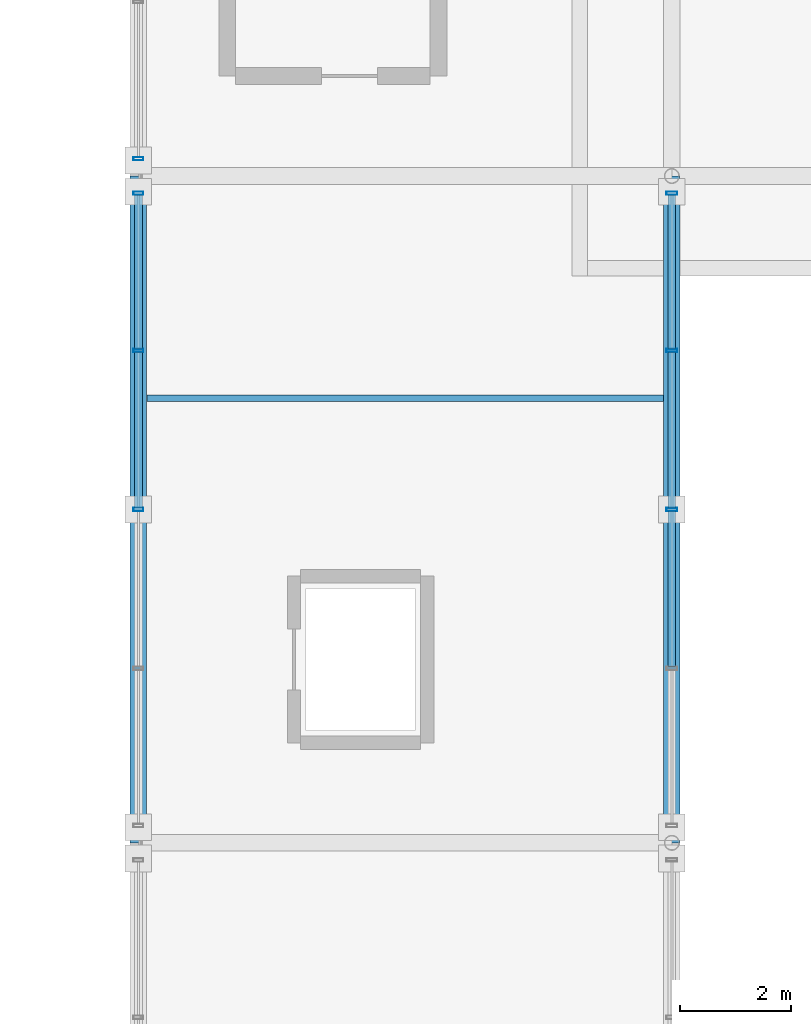
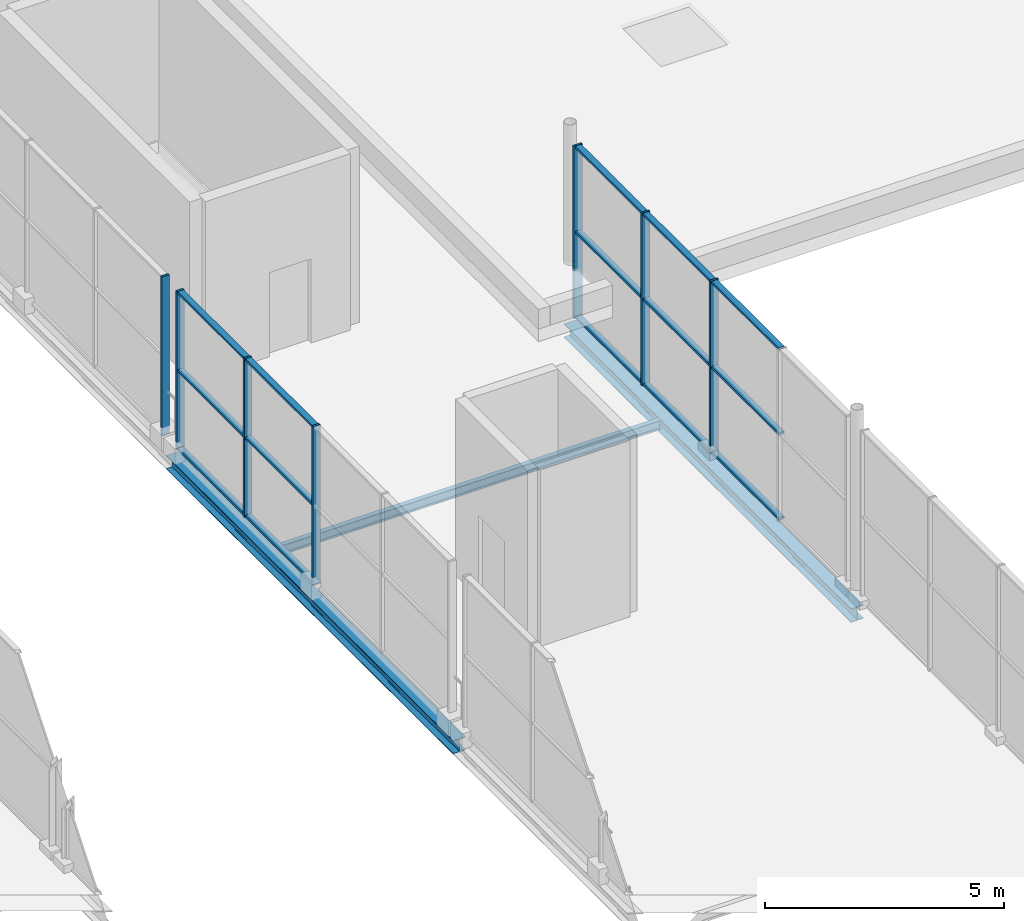
# One storey, part 92 of 159: 22 members, 3 beams, 3 elements without a shape of their own.
"""IFC4 building model written with IfcOpenShell, lengths in metres."""

from ifc_helpers import new_model, si_unit, direction, frame, origin, origin_2d, place, context, subcontext, project, spatial, hollow_rectangle, i_section, extrude, material, material_profile, profile_set, type_object, element, aggregate, save


model = new_model("IFC4")

# Units and contexts
model_context = context("Model", 3, precision=1e-05, world=origin(), true_north=direction((0.0, 1.0)))
body_context = subcontext(model_context, "Body", "Model", "MODEL_VIEW")
ifc_project = project(units=[si_unit("LENGTHUNIT", "METRE"), si_unit("AREAUNIT", "SQUARE_METRE"), si_unit("VOLUMEUNIT", "CUBIC_METRE"), si_unit("PLANEANGLEUNIT", "RADIAN"), si_unit("MASSUNIT", "GRAM", prefix="KILO")], contexts=[model_context])

# Site, building, storey
site_placement = place(None, origin())
site = spatial("IfcSite", under=ifc_project, at=site_placement, CompositionType="ELEMENT")
building_placement = place(site_placement, origin())
building = spatial("IfcBuilding", under=site, at=building_placement, Name="Merenkruunu Market Hall", CompositionType="ELEMENT")
storey_placement = place(building_placement, frame((0.0, 0.0, 5.39990234375)))
storey = spatial("IfcBuildingStorey", under=building, at=storey_placement, Name="L01", CompositionType="ELEMENT", Elevation=5.39990234375)

# Curtain wall, members
ifc_material_1 = material(Name="Powder-coated aluminium", Category="aluminium")
curtain_wall_type_1 = type_object("IfcCurtainWallType", Name="Glazed Curtain Wall CW16", PredefinedType="USERDEFINED", material=ifc_material_1)
curtain_wall_1_placement = place(storey_placement, origin())
curtain_wall_1 = element("IfcCurtainWall", 1, at=curtain_wall_1_placement, inside=storey, type_object=curtain_wall_type_1, Name="CW-L01-CWM02-177", ObjectType="GLAZED_FACADE", PredefinedType="USERDEFINED")
ifc_material_profile_1 = material_profile(ifc_material_1, hollow_rectangle(XDim=0.06005859375, YDim=0.179931640625, WallThickness=0.00390625, at=origin_2d()), Name="ALU 60x180x4")
ifc_profile_set_1 = profile_set([ifc_material_profile_1], Name="Powder-coated aluminium")
member_type_1 = type_object("IfcMemberType", Name="Curtain Wall Mullion CWM02", PredefinedType="MULLION", material=ifc_profile_set_1)
member_1_placement = place(storey_placement, frame((67.199951171875, 81.60009765625, 0.0), z_axis=(0.0, 0.0, 1.0), x_axis=(0.0, 1.0, 0.0)))
member_1 = element("IfcMember", 2, at=member_1_placement, type_object=member_type_1, Name="CW16 mullion 3", PredefinedType="MULLION", context=body_context, shape_type="SweptSolid", body=[
    extrude(hollow_rectangle(XDim=0.06005859375, YDim=0.179931640625, WallThickness=0.00390625, at=origin_2d()), origin(), (0.0, 0.0, 1.0), 4.050048828125),
])
member_2_placement = place(storey_placement, frame((67.199951171875, 84.4599609375, 0.0), z_axis=(0.0, 0.0, 1.0), x_axis=(0.0, 1.0, 0.0)))
member_2 = element("IfcMember", 3, at=member_2_placement, type_object=member_type_1, Name="CW16 mullion 4", PredefinedType="MULLION", context=body_context, shape_type="SweptSolid", body=[
    extrude(hollow_rectangle(XDim=0.06005859375, YDim=0.179931640625, WallThickness=0.00390625, at=origin_2d()), origin(), (0.0, 0.0, 1.0), 4.050048828125),
])
member_3_placement = place(storey_placement, frame((67.199951171875, 87.2900390625, 0.0), z_axis=(0.0, 0.0, 1.0), x_axis=(0.0, 1.0, 0.0)))
member_3 = element("IfcMember", 4, at=member_3_placement, type_object=member_type_1, Name="CW16 mullion 5", PredefinedType="MULLION", context=body_context, shape_type="SweptSolid", body=[
    extrude(hollow_rectangle(XDim=0.06005859375, YDim=0.179931640625, WallThickness=0.00390625, at=origin_2d()), origin(), (0.0, 0.0, 1.0), 4.050048828125),
])

# Curtain wall, member
curtain_wall_2_placement = place(storey_placement, origin())
curtain_wall_2 = element("IfcCurtainWall", 5, at=curtain_wall_2_placement, inside=storey, type_object=curtain_wall_type_1, Name="CW-L01-CWM02-179", ObjectType="GLAZED_FACADE", PredefinedType="USERDEFINED")
member_4_placement = place(storey_placement, frame((67.199951171875, 87.909912109375, 0.0), z_axis=(0.0, 0.0, 1.0), x_axis=(0.0, 1.0, 0.0)))
member_4 = element("IfcMember", 6, at=member_4_placement, type_object=member_type_1, Name="CW16 mullion 1", PredefinedType="MULLION", context=body_context, shape_type="SweptSolid", body=[
    extrude(hollow_rectangle(XDim=0.06005859375, YDim=0.179931640625, WallThickness=0.00390625, at=origin_2d()), origin(), (0.0, 0.0, 1.0), 4.050048828125),
])
aggregate(curtain_wall_2, [member_4])

# Curtain wall, members
curtain_wall_type_2 = type_object("IfcCurtainWallType", Name="Glazed Curtain Wall CW11", PredefinedType="USERDEFINED", material=ifc_material_1)
curtain_wall_3_placement = place(storey_placement, origin())
curtain_wall_3 = element("IfcCurtainWall", 7, at=curtain_wall_3_placement, inside=storey, type_object=curtain_wall_type_2, Name="CW-L01-CWM03-166", ObjectType="GLAZED_FACADE", PredefinedType="USERDEFINED")
ifc_material_profile_2 = material_profile(ifc_material_1, hollow_rectangle(XDim=0.06005859375, YDim=0.199951171875, WallThickness=0.0048828125, at=origin_2d()), Name="ALU 60x200x5")
ifc_profile_set_2 = profile_set([ifc_material_profile_2], Name="Powder-coated aluminium")
member_type_2 = type_object("IfcMemberType", Name="Curtain Wall Mullion CWM03", PredefinedType="MULLION", material=ifc_profile_set_2)
member_5_placement = place(storey_placement, frame((76.800048828125, 87.2900390625, 0.0), z_axis=(0.0, 0.0, 1.0), x_axis=(0.0, -1.0, 0.0)))
member_5 = element("IfcMember", 8, at=member_5_placement, type_object=member_type_2, Name="CW11 mullion 1", PredefinedType="MULLION", context=body_context, shape_type="SweptSolid", body=[
    extrude(hollow_rectangle(XDim=0.06005859375, YDim=0.199951171875, WallThickness=0.0048828125, at=origin_2d()), origin(), (0.0, 0.0, 1.0), 4.400146484375),
])
member_6_placement = place(storey_placement, frame((76.800048828125, 84.4599609375, 0.0), z_axis=(0.0, 0.0, 1.0), x_axis=(0.0, -1.0, 0.0)))
member_6 = element("IfcMember", 9, at=member_6_placement, type_object=member_type_2, Name="CW11 mullion 2", PredefinedType="MULLION", context=body_context, shape_type="SweptSolid", body=[
    extrude(hollow_rectangle(XDim=0.06005859375, YDim=0.199951171875, WallThickness=0.0048828125, at=origin_2d()), origin(), (0.0, 0.0, 1.0), 4.400146484375),
])
member_7_placement = place(storey_placement, frame((76.800048828125, 81.60009765625, 0.0), z_axis=(0.0, 0.0, 1.0), x_axis=(0.0, -1.0, 0.0)))
member_7 = element("IfcMember", 10, at=member_7_placement, type_object=member_type_2, Name="CW11 mullion 3", PredefinedType="MULLION", context=body_context, shape_type="SweptSolid", body=[
    extrude(hollow_rectangle(XDim=0.06005859375, YDim=0.199951171875, WallThickness=0.0048828125, at=origin_2d()), origin(), (0.0, 0.0, 1.0), 4.400146484375),
])
ifc_material_profile_3 = material_profile(ifc_material_1, hollow_rectangle(XDim=0.06005859375, YDim=0.139892578125, WallThickness=0.00390625, at=origin_2d()), Name="ALU 60x140x4")
ifc_profile_set_3 = profile_set([ifc_material_profile_3], Name="Powder-coated aluminium")
member_type_3 = type_object("IfcMemberType", Name="Curtain Wall Transom CWT02", PredefinedType="USERDEFINED", material=ifc_profile_set_3)
member_8_placement = place(storey_placement, frame((76.800048828125, 87.260009765625, 0.030029296875), z_axis=(0.0, -1.0, 0.0), x_axis=(0.0, 0.0, 1.0)))
member_8 = element("IfcMember", 11, at=member_8_placement, type_object=member_type_3, Name="CW11 transom 1.1", ObjectType="TRANSOM", PredefinedType="USERDEFINED", context=body_context, shape_type="SweptSolid", body=[
    extrude(hollow_rectangle(XDim=0.06005859375, YDim=0.139892578125, WallThickness=0.00390625, at=origin_2d()), origin(), (0.0, 0.0, 1.0), 2.77001953125),
])
member_9_placement = place(storey_placement, frame((76.800048828125, 87.260009765625, 2.2001953125), z_axis=(0.0, -1.0, 0.0), x_axis=(0.0, 0.0, 1.0)))
member_9 = element("IfcMember", 12, at=member_9_placement, type_object=member_type_3, Name="CW11 transom 1.2", ObjectType="TRANSOM", PredefinedType="USERDEFINED", context=body_context, shape_type="SweptSolid", body=[
    extrude(hollow_rectangle(XDim=0.06005859375, YDim=0.139892578125, WallThickness=0.00390625, at=origin_2d()), origin(), (0.0, 0.0, 1.0), 2.77001953125),
])
member_10_placement = place(storey_placement, frame((76.800048828125, 87.260009765625, 4.3701171875), z_axis=(0.0, -1.0, 0.0), x_axis=(0.0, 0.0, 1.0)))
member_10 = element("IfcMember", 13, at=member_10_placement, type_object=member_type_3, Name="CW11 transom 1.3", ObjectType="TRANSOM", PredefinedType="USERDEFINED", context=body_context, shape_type="SweptSolid", body=[
    extrude(hollow_rectangle(XDim=0.06005859375, YDim=0.139892578125, WallThickness=0.00390625, at=origin_2d()), origin(), (0.0, 0.0, 1.0), 2.77001953125),
])
member_11_placement = place(storey_placement, frame((76.800048828125, 84.429931640625, 0.030029296875), z_axis=(0.0, -1.0, 0.0), x_axis=(0.0, 0.0, 1.0)))
member_11 = element("IfcMember", 14, at=member_11_placement, type_object=member_type_3, Name="CW11 transom 2.1", ObjectType="TRANSOM", PredefinedType="USERDEFINED", context=body_context, shape_type="SweptSolid", body=[
    extrude(hollow_rectangle(XDim=0.06005859375, YDim=0.139892578125, WallThickness=0.00390625, at=origin_2d()), origin(), (0.0, 0.0, 1.0), 2.800048828125),
])
member_12_placement = place(storey_placement, frame((76.800048828125, 84.429931640625, 2.2001953125), z_axis=(0.0, -1.0, 0.0), x_axis=(0.0, 0.0, 1.0)))
member_12 = element("IfcMember", 15, at=member_12_placement, type_object=member_type_3, Name="CW11 transom 2.2", ObjectType="TRANSOM", PredefinedType="USERDEFINED", context=body_context, shape_type="SweptSolid", body=[
    extrude(hollow_rectangle(XDim=0.06005859375, YDim=0.139892578125, WallThickness=0.00390625, at=origin_2d()), origin(), (0.0, 0.0, 1.0), 2.800048828125),
])
member_13_placement = place(storey_placement, frame((76.800048828125, 84.429931640625, 4.3701171875), z_axis=(0.0, -1.0, 0.0), x_axis=(0.0, 0.0, 1.0)))
member_13 = element("IfcMember", 16, at=member_13_placement, type_object=member_type_3, Name="CW11 transom 2.3", ObjectType="TRANSOM", PredefinedType="USERDEFINED", context=body_context, shape_type="SweptSolid", body=[
    extrude(hollow_rectangle(XDim=0.06005859375, YDim=0.139892578125, WallThickness=0.00390625, at=origin_2d()), origin(), (0.0, 0.0, 1.0), 2.800048828125),
])
member_14_placement = place(storey_placement, frame((76.800048828125, 81.570068359375, 0.030029296875), z_axis=(0.0, -1.0, 0.0), x_axis=(0.0, 0.0, 1.0)))
member_14 = element("IfcMember", 17, at=member_14_placement, type_object=member_type_3, Name="CW11 transom 3.1", ObjectType="TRANSOM", PredefinedType="USERDEFINED", context=body_context, shape_type="SweptSolid", body=[
    extrude(hollow_rectangle(XDim=0.06005859375, YDim=0.139892578125, WallThickness=0.00390625, at=origin_2d()), origin(), (0.0, 0.0, 1.0), 2.800048828125),
])
member_15_placement = place(storey_placement, frame((76.800048828125, 81.570068359375, 2.2001953125), z_axis=(0.0, -1.0, 0.0), x_axis=(0.0, 0.0, 1.0)))
member_15 = element("IfcMember", 18, at=member_15_placement, type_object=member_type_3, Name="CW11 transom 3.2", ObjectType="TRANSOM", PredefinedType="USERDEFINED", context=body_context, shape_type="SweptSolid", body=[
    extrude(hollow_rectangle(XDim=0.06005859375, YDim=0.139892578125, WallThickness=0.00390625, at=origin_2d()), origin(), (0.0, 0.0, 1.0), 2.800048828125),
])
member_16_placement = place(storey_placement, frame((76.800048828125, 81.570068359375, 4.3701171875), z_axis=(0.0, -1.0, 0.0), x_axis=(0.0, 0.0, 1.0)))
member_16 = element("IfcMember", 19, at=member_16_placement, type_object=member_type_3, Name="CW11 transom 3.3", ObjectType="TRANSOM", PredefinedType="USERDEFINED", context=body_context, shape_type="SweptSolid", body=[
    extrude(hollow_rectangle(XDim=0.06005859375, YDim=0.139892578125, WallThickness=0.00390625, at=origin_2d()), origin(), (0.0, 0.0, 1.0), 2.800048828125),
])
aggregate(curtain_wall_3, [member_5, member_6, member_7, member_8, member_9, member_10, member_11, member_12, member_13, member_14, member_15, member_16])

# Member
member_17_placement = place(storey_placement, frame((67.199951171875, 81.6298828125, 0.030029296875), z_axis=(0.0, 1.0, 0.0), x_axis=(0.0, 0.0, 1.0)))
member_17 = element("IfcMember", 20, at=member_17_placement, type_object=member_type_3, Name="CW16 transom 3.1", ObjectType="TRANSOM", PredefinedType="USERDEFINED", context=body_context, shape_type="SweptSolid", body=[
    extrude(hollow_rectangle(XDim=0.06005859375, YDim=0.139892578125, WallThickness=0.00390625, at=origin_2d()), origin(), (0.0, 0.0, 1.0), 2.800048828125),
])

member_18_placement = place(storey_placement, frame((67.199951171875, 81.6298828125, 2.025146484375), z_axis=(0.0, 1.0, 0.0), x_axis=(0.0, 0.0, 1.0)))
member_18 = element("IfcMember", 21, at=member_18_placement, type_object=member_type_3, Name="CW16 transom 3.2", ObjectType="TRANSOM", PredefinedType="USERDEFINED", context=body_context, shape_type="SweptSolid", body=[
    extrude(hollow_rectangle(XDim=0.06005859375, YDim=0.139892578125, WallThickness=0.00390625, at=origin_2d()), origin(), (0.0, 0.0, 1.0), 2.800048828125),
])

member_19_placement = place(storey_placement, frame((67.199951171875, 81.6298828125, 4.02001953125), z_axis=(0.0, 1.0, 0.0), x_axis=(0.0, 0.0, 1.0)))
member_19 = element("IfcMember", 22, at=member_19_placement, type_object=member_type_3, Name="CW16 transom 3.3", ObjectType="TRANSOM", PredefinedType="USERDEFINED", context=body_context, shape_type="SweptSolid", body=[
    extrude(hollow_rectangle(XDim=0.06005859375, YDim=0.139892578125, WallThickness=0.00390625, at=origin_2d()), origin(), (0.0, 0.0, 1.0), 2.800048828125),
])

member_20_placement = place(storey_placement, frame((67.199951171875, 84.489990234375, 0.030029296875), z_axis=(0.0, 1.0, 0.0), x_axis=(0.0, 0.0, 1.0)))
member_20 = element("IfcMember", 23, at=member_20_placement, type_object=member_type_3, Name="CW16 transom 4.1", ObjectType="TRANSOM", PredefinedType="USERDEFINED", context=body_context, shape_type="SweptSolid", body=[
    extrude(hollow_rectangle(XDim=0.06005859375, YDim=0.139892578125, WallThickness=0.00390625, at=origin_2d()), origin(), (0.0, 0.0, 1.0), 2.77001953125),
])

member_21_placement = place(storey_placement, frame((67.199951171875, 84.489990234375, 2.025146484375), z_axis=(0.0, 1.0, 0.0), x_axis=(0.0, 0.0, 1.0)))
member_21 = element("IfcMember", 24, at=member_21_placement, type_object=member_type_3, Name="CW16 transom 4.2", ObjectType="TRANSOM", PredefinedType="USERDEFINED", context=body_context, shape_type="SweptSolid", body=[
    extrude(hollow_rectangle(XDim=0.06005859375, YDim=0.139892578125, WallThickness=0.00390625, at=origin_2d()), origin(), (0.0, 0.0, 1.0), 2.77001953125),
])

member_22_placement = place(storey_placement, frame((67.199951171875, 84.489990234375, 4.02001953125), z_axis=(0.0, 1.0, 0.0), x_axis=(0.0, 0.0, 1.0)))
member_22 = element("IfcMember", 25, at=member_22_placement, type_object=member_type_3, Name="CW16 transom 4.3", ObjectType="TRANSOM", PredefinedType="USERDEFINED", context=body_context, shape_type="SweptSolid", body=[
    extrude(hollow_rectangle(XDim=0.06005859375, YDim=0.139892578125, WallThickness=0.00390625, at=origin_2d()), origin(), (0.0, 0.0, 1.0), 2.77001953125),
])

aggregate(curtain_wall_1, [member_1, member_2, member_3, member_17, member_18, member_19, member_20, member_21, member_22])

# Beams
ifc_material_2 = material(Name="Steel S355J2", Category="steel")
ifc_material_profile_4 = material_profile(ifc_material_2, i_section(OverallWidth=0.300048828125, OverallDepth=0.35009765625, WebThickness=0.010009765625, FlangeThickness=0.017578125, FilletRadius=0.027099609375, at=origin_2d()), Name="HEA 360")
ifc_profile_set_4 = profile_set([ifc_material_profile_4], Name="Steel S355J2")
beam_type_1 = type_object("IfcBeamType", Name="Primary Floor Girder B08", PredefinedType="BEAM", material=ifc_profile_set_4)
for number, where, z_axis, x_axis, name in (
    (26, (67.199951171875, 75.60009765625, -0.48486328125), (0.0, 1.0, 0.0), (-1.0, 0.0, 0.0), "BM-L01-B08-0595"),
    (27, (76.800048828125, 75.60009765625, -0.48486328125), (0.0, 1.0, 0.0), (-1.0, 0.0, 0.0), "BM-L01-B08-0603"),
):
    element("IfcBeam", number, at=place(storey_placement, frame(where, z_axis=z_axis, x_axis=x_axis)), inside=storey, type_object=beam_type_1, Name=name, PredefinedType="BEAM", context=body_context, shape_type="SweptSolid", body=[
        extrude(i_section(OverallWidth=0.300048828125, OverallDepth=0.35009765625, WebThickness=0.010009765625, FlangeThickness=0.017578125, FilletRadius=0.027099609375, at=origin_2d()), origin(), (0.0, 0.0, 1.0), 12.0),
    ])
ifc_material_profile_5 = material_profile(ifc_material_2, i_section(OverallWidth=0.1201171875, OverallDepth=0.239990234375, WebThickness=0.006103515625, FlangeThickness=0.009765625, FilletRadius=0.014892578125, at=origin_2d()), Name="IPE 240")
ifc_profile_set_5 = profile_set([ifc_material_profile_5], Name="Steel S355J2")
beam_type_2 = type_object("IfcBeamType", Name="Secondary Floor Joist J05", PredefinedType="JOIST", material=ifc_profile_set_5)
beam_placement = place(storey_placement, frame((67.35302734375, 83.60009765625, -0.429931640625), z_axis=(1.0, 0.0, 0.0), x_axis=(0.0, 1.0, 0.0)))
element("IfcBeam", 28, at=beam_placement, inside=storey, type_object=beam_type_2, Name="BM-L01-J05-0686", PredefinedType="JOIST", context=body_context, shape_type="SweptSolid", body=[
    extrude(i_section(OverallWidth=0.1201171875, OverallDepth=0.239990234375, WebThickness=0.006103515625, FlangeThickness=0.009765625, FilletRadius=0.014892578125, at=origin_2d()), origin(), (0.0, 0.0, 1.0), 9.2939453125),
])

save(model, "model.ifc")
